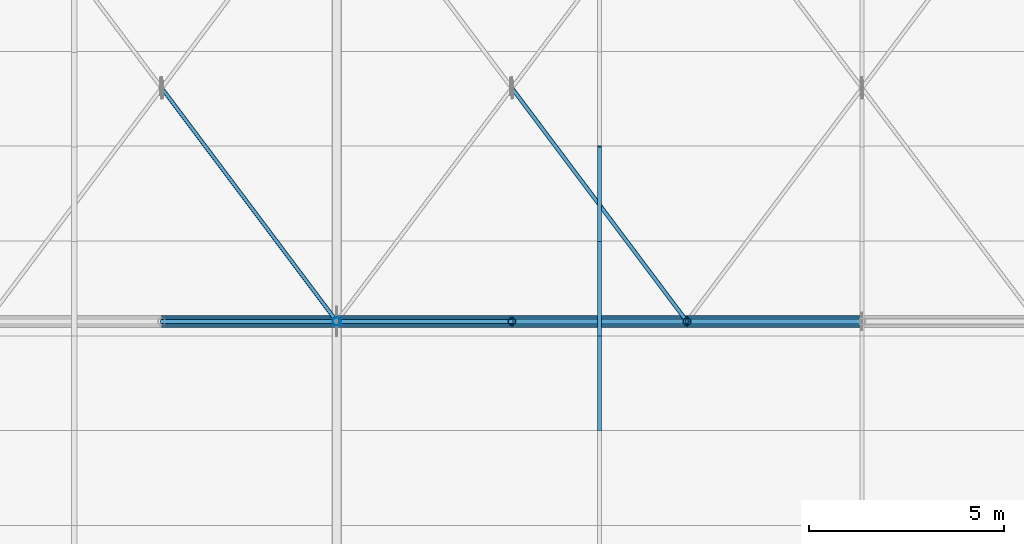
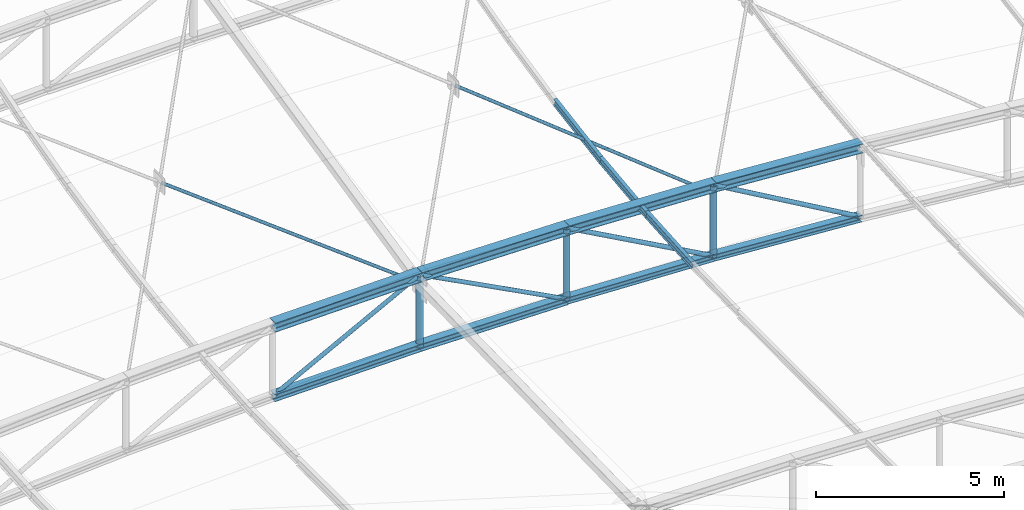
# One storey, part 119 of 262: 20 members.
"""IFC4 building model written with IfcOpenShell, lengths in metres."""

from ifc_helpers import new_model, si_unit, derived_unit, direction, frame, origin, origin_2d, place, context, subcontext, project, spatial, hollow_circle, i_section, extrude, material, material_profile, profile_set, type_object, element, save


model = new_model("IFC4")

# Units and contexts
model_context = context("Model", 3, precision=1e-05, world=origin(), true_north=direction((0.0, 1.0)))
body_context = subcontext(model_context, "Body", "Model", "MODEL_VIEW")
ifc_project = project(units=[si_unit("LENGTHUNIT", "METRE"), si_unit("AREAUNIT", "SQUARE_METRE"), si_unit("VOLUMEUNIT", "CUBIC_METRE"), si_unit("PLANEANGLEUNIT", "RADIAN"), si_unit("MASSUNIT", "GRAM", prefix="KILO"), derived_unit("THERMALTRANSMITTANCEUNIT", [(si_unit("POWERUNIT", "WATT"), 1), (si_unit("LENGTHUNIT", "METRE"), -2), (si_unit("THERMODYNAMICTEMPERATUREUNIT", "KELVIN"), -1)])], contexts=[model_context])

# Site, building, storey
site_placement = place(None, origin())
site = spatial("IfcSite", under=ifc_project, at=site_placement, CompositionType="ELEMENT")
building_placement = place(site_placement, origin())
building = spatial("IfcBuilding", under=site, at=building_placement, Name="Almenara Railside Exhibition Hall", CompositionType="ELEMENT")
storey_placement = place(building_placement, frame((0.0, 0.0, 21.699951171875)))
storey = spatial("IfcBuildingStorey", under=building, at=storey_placement, Name="RF", CompositionType="ELEMENT", Elevation=21.699951171875)

# Members
ifc_material = material(Name="Structural steel S355JR", Category="steel")
ifc_material_profile_1 = material_profile(ifc_material, i_section(OverallWidth=0.239990234375, OverallDepth=0.239990234375, WebThickness=0.010009765625, FlangeThickness=0.01708984375, FilletRadius=0.02099609375, at=origin_2d()), Name="HEB 240")
ifc_profile_set_1 = profile_set([ifc_material_profile_1], Name="Structural steel S355JR")
member_type_1 = type_object("IfcMemberType", Name="Arched Crown Bottom Chord HEB 240 S355JR", PredefinedType="CHORD", material=ifc_profile_set_1)
for number, where, z_axis, x_axis, name in (
    (1, (34.5, 108.0, 0.003662109375), (0.999908030213, 0.0, 0.013562120635), (0.0, 1.0, 0.0), "MEM-BC-V1-05-05"),
    (2, (39.0, 108.0, 0.064697265625), (0.999908030213, 0.0, -0.013562120635), (0.0, 1.0, 0.0), "MEM-BC-V1-05-06"),
):
    element("IfcMember", number, at=place(storey_placement, frame(where, z_axis=z_axis, x_axis=x_axis)), inside=storey, type_object=member_type_1, Name=name, PredefinedType="CHORD", context=body_context, shape_type="SweptSolid", body=[
        extrude(i_section(OverallWidth=0.239990234375, OverallDepth=0.239990234375, WebThickness=0.010009765625, FlangeThickness=0.01708984375, FilletRadius=0.02099609375, at=origin_2d()), origin(), (0.0, 0.0, 1.0), 4.50048828125),
    ])
ifc_material_profile_2 = material_profile(ifc_material, i_section(OverallWidth=0.300048828125, OverallDepth=0.300048828125, WebThickness=0.010986328125, FlangeThickness=0.01904296875, FilletRadius=0.027099609375, at=origin_2d()), Name="HEB 300")
ifc_profile_set_2 = profile_set([ifc_material_profile_2], Name="Structural steel S355JR")
member_type_2 = type_object("IfcMemberType", Name="Arched Inner Top Chord HEB 300 S355JR", PredefinedType="CHORD", material=ifc_profile_set_2)
for number, where, z_axis, x_axis, name in (
    (3, (34.5, 108.0, 2.3037109375), (0.999908030213, 0.0, 0.013562120635), (0.0, 1.0, 0.0), "MEM-TC-V1-05-05"),
    (4, (39.0, 108.0, 2.36474609375), (0.999908030213, 0.0, -0.013562120635), (0.0, 1.0, 0.0), "MEM-TC-V1-05-06"),
):
    element("IfcMember", number, at=place(storey_placement, frame(where, z_axis=z_axis, x_axis=x_axis)), inside=storey, type_object=member_type_2, Name=name, PredefinedType="CHORD", context=body_context, shape_type="SweptSolid", body=[
        extrude(i_section(OverallWidth=0.300048828125, OverallDepth=0.300048828125, WebThickness=0.010986328125, FlangeThickness=0.01904296875, FilletRadius=0.027099609375, at=origin_2d()), origin(), (0.0, 0.0, 1.0), 4.50048828125),
    ])
member_1_placement = place(storey_placement, frame((43.5, 108.0, 2.3037109375), z_axis=(0.99917098071, 0.0, -0.04071057978), x_axis=(0.0, 1.0, 0.0)))
element("IfcMember", 5, at=member_1_placement, inside=storey, type_object=member_type_2, Name="MEM-TC-V1-05-07", PredefinedType="CHORD", context=body_context, shape_type="SweptSolid", body=[
    extrude(i_section(OverallWidth=0.300048828125, OverallDepth=0.300048828125, WebThickness=0.010986328125, FlangeThickness=0.01904296875, FilletRadius=0.027099609375, at=origin_2d()), origin(), (0.0, 0.0, 1.0), 4.503662109375),
])
member_2_placement = place(storey_placement, frame((48.0, 108.0, 2.120361328125), z_axis=(0.997701025897, 0.0, -0.067769188608), x_axis=(0.0, 1.0, 0.0)))
element("IfcMember", 6, at=member_2_placement, inside=storey, type_object=member_type_2, Name="MEM-TC-V1-05-08", PredefinedType="CHORD", context=body_context, shape_type="SweptSolid", body=[
    extrude(i_section(OverallWidth=0.300048828125, OverallDepth=0.300048828125, WebThickness=0.010986328125, FlangeThickness=0.01904296875, FilletRadius=0.027099609375, at=origin_2d()), origin(), (0.0, 0.0, 1.0), 4.51025390625),
])
ifc_material_profile_3 = material_profile(ifc_material, i_section(OverallWidth=0.110107421875, OverallDepth=0.219970703125, WebThickness=0.005859375, FlangeThickness=0.00927734375, FilletRadius=0.011962890625, at=origin_2d()), Name="IPE 220")
ifc_profile_set_3 = profile_set([ifc_material_profile_3], Name="Structural steel S355JR")
member_type_3 = type_object("IfcMemberType", Name="Heavy Hall Roof Purlin IPE 220 S355JR", PredefinedType="PURLIN", material=ifc_profile_set_3)
member_3_placement = place(storey_placement, frame((45.75, 105.1962890625, 2.01171875), z_axis=(0.0, 0.997528729247, 0.070259763216), x_axis=(-1.0, 0.0, 0.0)))
element("IfcMember", 7, at=member_3_placement, inside=storey, type_object=member_type_3, Name="MEM-PR-V1-PR-IPE220-05-17", PredefinedType="PURLIN", context=body_context, shape_type="SweptSolid", body=[
    extrude(i_section(OverallWidth=0.110107421875, OverallDepth=0.219970703125, WebThickness=0.005859375, FlangeThickness=0.00927734375, FilletRadius=0.011962890625, at=origin_2d()), origin(), (0.0, 0.0, 1.0), 2.44287109375),
])
member_4_placement = place(storey_placement, frame((45.75, 107.633056640625, 2.18212890625), z_axis=(0.0, 0.993117280569, 0.117124152227), x_axis=(-1.0, 0.0, 0.0)))
element("IfcMember", 8, at=member_4_placement, inside=storey, type_object=member_type_3, Name="MEM-PR-V1-PR-IPE220-05-18", PredefinedType="PURLIN", context=body_context, shape_type="SweptSolid", body=[
    extrude(i_section(OverallWidth=0.110107421875, OverallDepth=0.219970703125, WebThickness=0.005859375, FlangeThickness=0.00927734375, FilletRadius=0.011962890625, at=origin_2d()), origin(), (0.0, 0.0, 1.0), 2.453369140625),
])
member_5_placement = place(storey_placement, frame((45.75, 110.069580078125, 2.467529296875), z_axis=(0.0, 0.986449960692, 0.164062412058), x_axis=(-1.0, 0.0, 0.0)))
element("IfcMember", 9, at=member_5_placement, inside=storey, type_object=member_type_3, Name="MEM-PR-V1-PR-IPE220-05-19", PredefinedType="PURLIN", context=body_context, shape_type="SweptSolid", body=[
    extrude(i_section(OverallWidth=0.110107421875, OverallDepth=0.219970703125, WebThickness=0.005859375, FlangeThickness=0.00927734375, FilletRadius=0.011962890625, at=origin_2d()), origin(), (0.0, 0.0, 1.0), 2.47021484375),
])
ifc_material_profile_4 = material_profile(ifc_material, i_section(OverallWidth=0.219970703125, OverallDepth=0.219970703125, WebThickness=0.009521484375, FlangeThickness=0.01611328125, FilletRadius=0.01806640625, at=origin_2d()), Name="HEB 220")
ifc_profile_set_4 = profile_set([ifc_material_profile_4], Name="Structural steel S355JR")
member_type_4 = type_object("IfcMemberType", Name="Scroll Tie Chord HEB 220 S355JR", PredefinedType="CHORD", material=ifc_profile_set_4)
member_6_placement = place(storey_placement, frame((43.5, 108.0, 0.003662109375), z_axis=(0.99917098071, 0.0, -0.04071057978), x_axis=(0.0, 1.0, 0.0)))
element("IfcMember", 10, at=member_6_placement, inside=storey, type_object=member_type_4, Name="MEM-BC-V1-05-07", PredefinedType="CHORD", context=body_context, shape_type="SweptSolid", body=[
    extrude(i_section(OverallWidth=0.219970703125, OverallDepth=0.219970703125, WebThickness=0.009521484375, FlangeThickness=0.01611328125, FilletRadius=0.01806640625, at=origin_2d()), origin(), (0.0, 0.0, 1.0), 4.503662109375),
])
member_7_placement = place(storey_placement, frame((48.0, 108.0, -0.1796875), z_axis=(0.997704684283, 0.0, -0.067715308162), x_axis=(0.0, 1.0, 0.0)))
element("IfcMember", 11, at=member_7_placement, inside=storey, type_object=member_type_4, Name="MEM-BC-V1-05-08", PredefinedType="CHORD", context=body_context, shape_type="SweptSolid", body=[
    extrude(i_section(OverallWidth=0.219970703125, OverallDepth=0.219970703125, WebThickness=0.009521484375, FlangeThickness=0.01611328125, FilletRadius=0.01806640625, at=origin_2d()), origin(), (0.0, 0.0, 1.0), 4.51025390625),
])
ifc_material_profile_5 = material_profile(ifc_material, hollow_circle(Radius=0.05078125, WallThickness=0.00390625, at=origin_2d()), Name="CHS 101.6x4")
ifc_profile_set_5 = profile_set([ifc_material_profile_5], Name="Structural steel S355JR")
member_type_5 = type_object("IfcMemberType", Name="Scroll Wind Plan Brace CHS 101.6x4 S355JR", PredefinedType="BRACE", material=ifc_profile_set_5)
member_8_placement = place(storey_placement, frame((39.0, 108.0, 2.084716796875), z_axis=(-0.592260313902, 0.789691207109, 0.160048486379), x_axis=(-0.80000393459, -0.599994753845, 0.0)))
element("IfcMember", 12, at=member_8_placement, inside=storey, type_object=member_type_5, Name="MEM-WB-V1-WB-CHS102-05-04-S1", PredefinedType="BRACE", context=body_context, shape_type="SweptSolid", body=[
    extrude(hollow_circle(Radius=0.05078125, WallThickness=0.00390625, at=origin_2d()), origin(), (0.0, 0.0, 1.0), 7.543212890625),
])
member_9_placement = place(storey_placement, frame((48.0, 108.0, 1.84033203125), z_axis=(-0.588938662257, 0.785251549676, 0.191131514489), x_axis=(-0.8, -0.6, 0.0)))
element("IfcMember", 13, at=member_9_placement, inside=storey, type_object=member_type_5, Name="MEM-WB-V1-WB-CHS102-05-06-S1", PredefinedType="BRACE", context=body_context, shape_type="SweptSolid", body=[
    extrude(hollow_circle(Radius=0.05078125, WallThickness=0.00390625, at=origin_2d()), origin(), (0.0, 0.0, 1.0), 7.586181640625),
])
ifc_material_profile_6 = material_profile(ifc_material, hollow_circle(Radius=0.0634765625, WallThickness=0.00439453125, at=origin_2d()), Name="CHS 127.0x4.5")
ifc_profile_set_6 = profile_set([ifc_material_profile_6], Name="Structural steel S355JR")
member_type_6 = type_object("IfcMemberType", Name="Truss Crown Diagonal CHS 127.0x4.5 S355JR", PredefinedType="BRACE", material=ifc_profile_set_6)
for number, where, z_axis, x_axis, name in (
    (14, (34.5, 108.0, 0.003662109375), (0.885512555589, 0.0, 0.464615447326), (0.0, 1.0, 0.0), "MEM-TD-V1-05-05"),
    (15, (39.0, 108.0, 2.36474609375), (0.885512555589, 0.0, -0.464615447326), (0.0, 1.0, 0.0), "MEM-TD-V1-05-06"),
):
    element("IfcMember", number, at=place(storey_placement, frame(where, z_axis=z_axis, x_axis=x_axis)), inside=storey, type_object=member_type_6, Name=name, PredefinedType="BRACE", context=body_context, shape_type="SweptSolid", body=[
        extrude(hollow_circle(Radius=0.0634765625, WallThickness=0.00439453125, at=origin_2d()), origin(), (0.0, 0.0, 1.0), 5.081787109375),
    ])
ifc_material_profile_7 = material_profile(ifc_material, hollow_circle(Radius=0.06982421875, WallThickness=0.0048828125, at=origin_2d()), Name="CHS 139.7x5")
ifc_profile_set_7 = profile_set([ifc_material_profile_7], Name="Structural steel S355JR")
member_type_7 = type_object("IfcMemberType", Name="Truss Inner Diagonal CHS 139.7x5 S355JR", PredefinedType="BRACE", material=ifc_profile_set_7)
member_10_placement = place(storey_placement, frame((43.5, 108.0, 2.3037109375), z_axis=(0.875525025835, 0.0, -0.483172773589), x_axis=(0.0, 1.0, 0.0)))
element("IfcMember", 16, at=member_10_placement, inside=storey, type_object=member_type_7, Name="MEM-TD-V1-05-07", PredefinedType="BRACE", context=body_context, shape_type="SweptSolid", body=[
    extrude(hollow_circle(Radius=0.06982421875, WallThickness=0.0048828125, at=origin_2d()), origin(), (0.0, 0.0, 1.0), 5.139892578125),
])
member_11_placement = place(storey_placement, frame((48.0, 108.0, 2.120361328125), z_axis=(0.865409140876, 0.0, -0.501065882782), x_axis=(0.0, 1.0, 0.0)))
element("IfcMember", 17, at=member_11_placement, inside=storey, type_object=member_type_7, Name="MEM-TD-V1-05-08", PredefinedType="BRACE", context=body_context, shape_type="SweptSolid", body=[
    extrude(hollow_circle(Radius=0.06982421875, WallThickness=0.0048828125, at=origin_2d()), origin(), (0.0, 0.0, 1.0), 5.199951171875),
])
ifc_material_profile_8 = material_profile(ifc_material, hollow_circle(Radius=0.109619140625, WallThickness=0.008056640625, at=origin_2d()), Name="CHS 219.1x8")
ifc_profile_set_8 = profile_set([ifc_material_profile_8], Name="Structural steel S355JR")
member_type_8 = type_object("IfcMemberType", Name="Truss Primary Vertical Strut CHS 219.1x8 S355JR", PredefinedType="BRACE", material=ifc_profile_set_8)
member_12_placement = place(storey_placement, frame((39.0, 108.0, 0.064697265625), z_axis=(0.0, 0.0, 1.0), x_axis=(1.0, 0.0, 0.0)))
element("IfcMember", 18, at=member_12_placement, inside=storey, type_object=member_type_8, Name="MEM-TV-V1-05-06", PredefinedType="BRACE", context=body_context, shape_type="SweptSolid", body=[
    extrude(hollow_circle(Radius=0.109619140625, WallThickness=0.008056640625, at=origin_2d()), origin(), (0.0, 0.0, 1.0), 2.300048828125),
])
ifc_material_profile_9 = material_profile(ifc_material, hollow_circle(Radius=0.096923828125, WallThickness=0.00634765625, at=origin_2d()), Name="CHS 193.7x6.3")
ifc_profile_set_9 = profile_set([ifc_material_profile_9], Name="Structural steel S355JR")
member_type_9 = type_object("IfcMemberType", Name="Truss Standard Vertical Strut CHS 193.7x6.3 S355JR", PredefinedType="BRACE", material=ifc_profile_set_9)
for number, where, z_axis, x_axis, name in (
    (19, (43.5, 108.0, 0.003662109375), (0.0, 0.0, 1.0), (1.0, 0.0, 0.0), "MEM-TV-V1-05-07"),
    (20, (48.0, 108.0, -0.1796875), (0.0, 0.0, 1.0), (1.0, 0.0, 0.0), "MEM-TV-V1-05-08"),
):
    element("IfcMember", number, at=place(storey_placement, frame(where, z_axis=z_axis, x_axis=x_axis)), inside=storey, type_object=member_type_9, Name=name, PredefinedType="BRACE", context=body_context, shape_type="SweptSolid", body=[
        extrude(hollow_circle(Radius=0.096923828125, WallThickness=0.00634765625, at=origin_2d()), origin(), (0.0, 0.0, 1.0), 2.300048828125),
    ])

save(model, "model.ifc")
